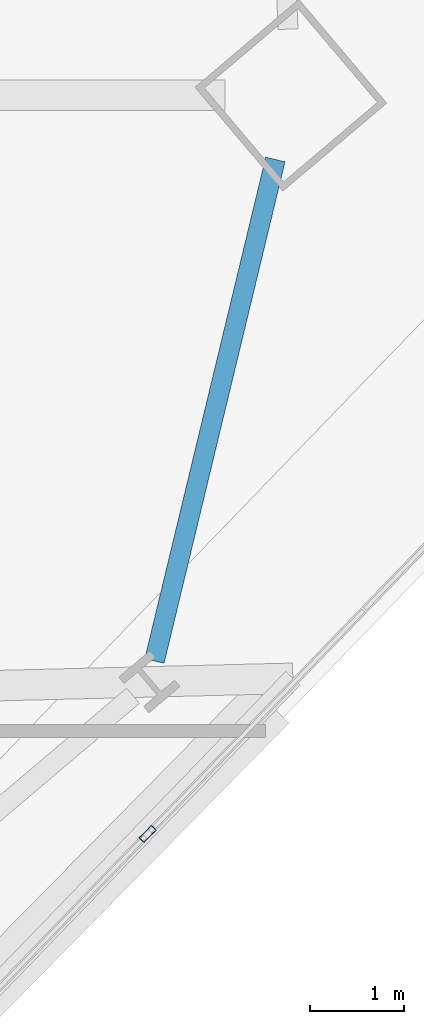
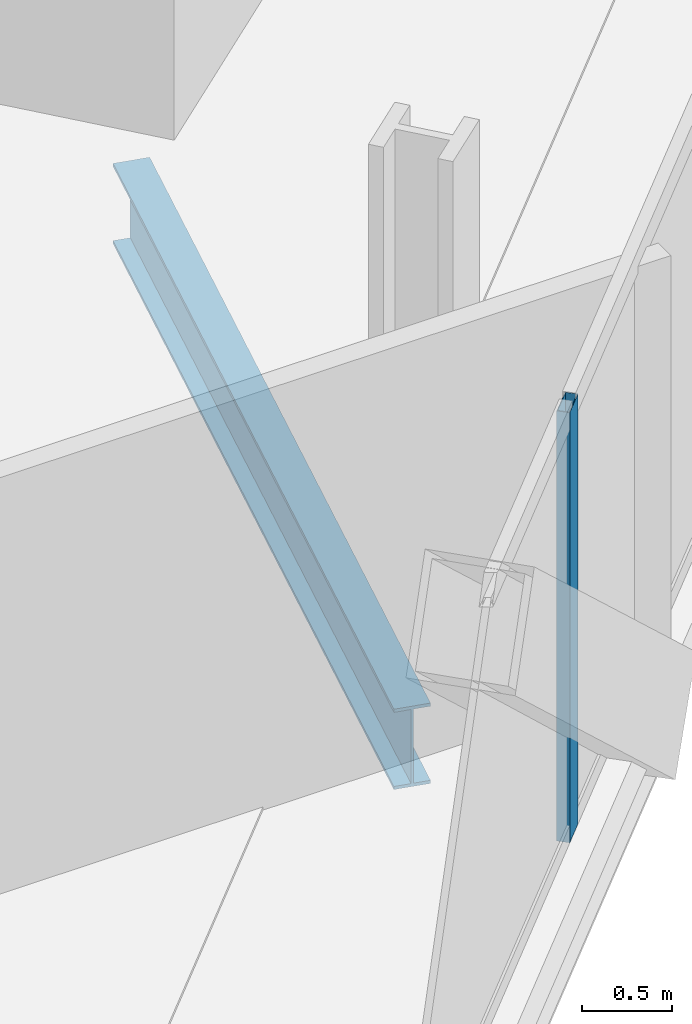
# One storey, part 11 of 33: 1 beam, 1 member, 1 element without a shape of its own.
"""IFC4 building model written with IfcOpenShell, lengths in metres."""

from ifc_helpers import new_model, si_unit, direction, frame, origin, origin_2d, place, context, subcontext, project, spatial, hollow_rectangle, i_section, extrude, material, material_profile, profile_set, type_object, element, aggregate, save


model = new_model("IFC4")

# Units and contexts
model_context = context("Model", 3, precision=1e-05, world=origin(), true_north=direction((0.0, 1.0)))
body_context = subcontext(model_context, "Body", "Model", "MODEL_VIEW")
ifc_project = project(units=[si_unit("LENGTHUNIT", "METRE"), si_unit("AREAUNIT", "SQUARE_METRE"), si_unit("VOLUMEUNIT", "CUBIC_METRE"), si_unit("PLANEANGLEUNIT", "RADIAN"), si_unit("MASSUNIT", "GRAM", prefix="KILO")], contexts=[model_context])

# Site, building, storey
site_placement = place(None, origin())
site = spatial("IfcSite", under=ifc_project, at=site_placement, CompositionType="ELEMENT")
building_placement = place(site_placement, origin())
building = spatial("IfcBuilding", under=site, at=building_placement, Name="Haldenkirk Collegiate Tower", CompositionType="ELEMENT")
storey_placement = place(building_placement, frame((0.0, 0.0, 181.949951171875)))
storey = spatial("IfcBuildingStorey", under=building, at=storey_placement, Name="L45", CompositionType="ELEMENT", Elevation=181.949951171875)

# Beam
ifc_material_1 = material(Name="Steel ASTM A992 Grade 50", Category="steel")
ifc_material_profile_1 = material_profile(ifc_material_1, i_section(OverallWidth=0.2119140625, OverallDepth=0.5439453125, WebThickness=0.01318359375, FlangeThickness=0.021240234375, at=origin_2d()), Name="W21X83")
ifc_profile_set_1 = profile_set([ifc_material_profile_1], Name="Steel ASTM A992 Grade 50")
beam_type = type_object("IfcBeamType", Name="BM-SPANDREL-W21X83", PredefinedType="SPANDREL", material=ifc_profile_set_1)
beam_placement = place(storey_placement, frame((60.010009765625, 18.595458984375, -0.56201171875), z_axis=(0.23444531808, 0.972129308698, 0.0), x_axis=(-0.972129308698, 0.23444531808, 0.0)))
element("IfcBeam", 1, at=beam_placement, inside=storey, type_object=beam_type, Name="L45 perimeter spandrel beam 04", PredefinedType="SPANDREL", context=body_context, shape_type="SweptSolid", body=[
    extrude(i_section(OverallWidth=0.2119140625, OverallDepth=0.5439453125, WebThickness=0.01318359375, FlangeThickness=0.021240234375, at=origin_2d()), origin(), (0.0, 0.0, 1.0), 5.50146484375),
])

# Curtain wall, member
ifc_material_2 = material(Name="Anodised architectural bronze aluminium", Category="aluminium")
curtain_wall_type = type_object("IfcCurtainWallType", Name="CW-SYS2-CONCAVE", PredefinedType="USERDEFINED", material=ifc_material_2)
curtain_wall_placement = place(storey_placement, origin())
curtain_wall = element("IfcCurtainWall", 2, at=curtain_wall_placement, inside=storey, type_object=curtain_wall_type, Name="L45 South concave recessed bronze-anodised curtain wall", ObjectType="UNITISED CURTAIN WALL", PredefinedType="USERDEFINED")
ifc_material_profile_2 = material_profile(ifc_material_2, hollow_rectangle(XDim=0.074951171875, YDim=0.18994140625, WallThickness=0.0048828125, at=origin_2d()), Name="CW-MUL-02")
ifc_profile_set_2 = profile_set([ifc_material_profile_2], Name="Anodised architectural bronze aluminium")
member_type = type_object("IfcMemberType", Name="CW-MUL-02", PredefinedType="MULLION", material=ifc_profile_set_2)
member_placement = place(storey_placement, frame((59.93798828125, 16.750244140625, 0.0), z_axis=(0.0, 0.0, 1.0), x_axis=(0.719339919409, -0.694658247158, 0.0)))
member = element("IfcMember", 3, at=member_placement, type_object=member_type, Name="CW-02 mullion 2", PredefinedType="MULLION", context=body_context, shape_type="SweptSolid", body=[
    extrude(hollow_rectangle(XDim=0.074951171875, YDim=0.18994140625, WallThickness=0.0048828125, at=origin_2d()), origin(), (0.0, 0.0, 1.0), 2.9111328125),
])
aggregate(curtain_wall, [member])

save(model, "model.ifc")
